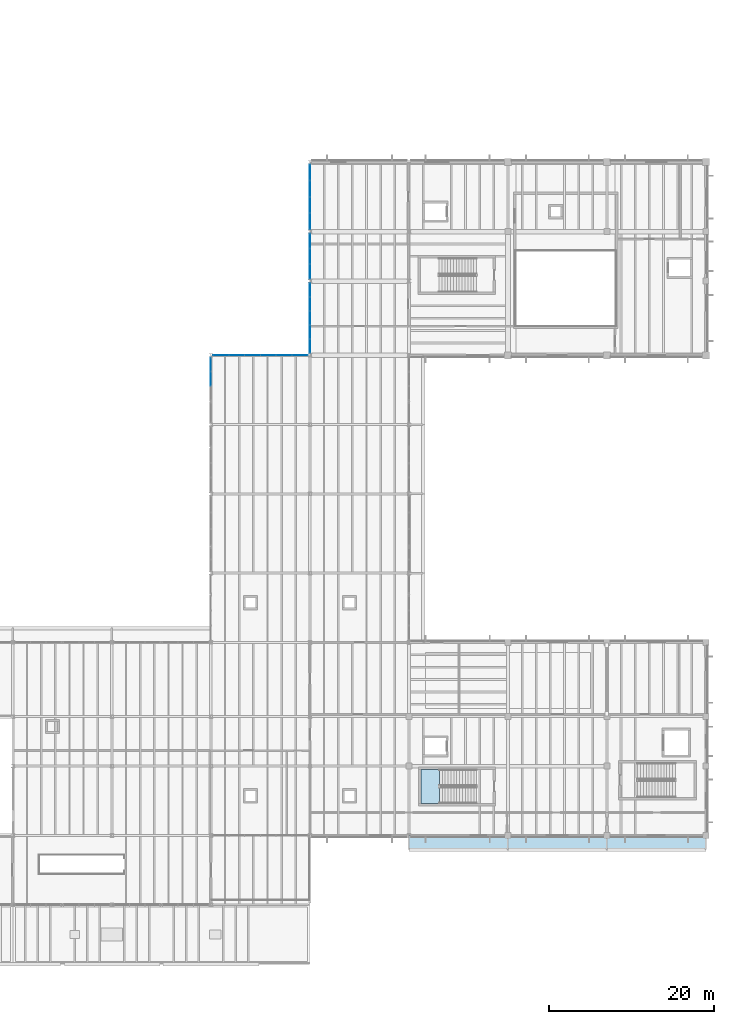
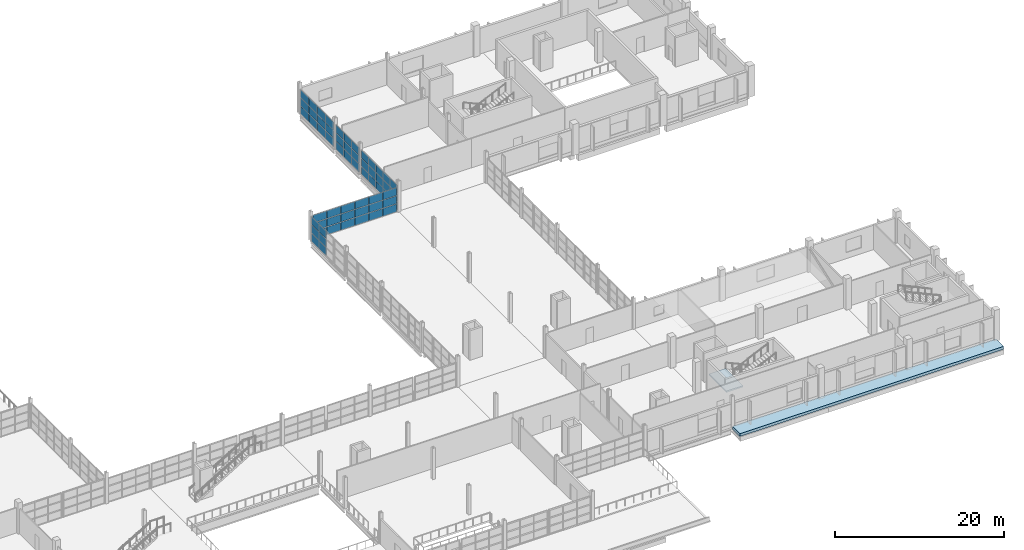
# One storey, part 83 of 114: 60 plates, 2 slabs, 6 elements without a shape of their own.
"""IFC4 building model written with IfcOpenShell, lengths in metres."""

import ifcopenshell
import ifcopenshell.guid

model = None  # the IFC model being written
_history = None  # IfcOwnerHistory: only IFC2X3 demands one
_inside = {}  # id of a spatial element -> (the spatial element, [elements in it])
_under = {}  # id of a project, library or spatial element -> (it, [spatial elements below it])
_declared = {}  # id of a project -> (the project, [libraries it declares])
_typed = {}  # id of a type object -> (the type object, [elements of that type])
_made_of = {}  # id of a material, layer set ... -> (it, [elements and type objects made of it])


def new_model(schema):
    """Start an empty IFC model of exactly this schema.

    Asked for "IFC4X3", IfcOpenShell would pick the latest addendum, in which some entities
    have other attributes; the version numbers below select the first issue.
    IFC2X3 requires an IfcOwnerHistory on every rooted entity: one is made here for all.
    """
    global model, _history
    if schema == "IFC4X3":
        model = ifcopenshell.file(schema_version=(4, 3, 0, 0))
    else:
        model = ifcopenshell.file(schema=schema)
    _inside.clear()
    _under.clear()
    _declared.clear()
    _typed.clear()
    _made_of.clear()
    _history = None
    if model.schema == "IFC2X3":
        org = make("IfcOrganization", Name="unknown")
        user = make(
            "IfcPersonAndOrganization",
            ThePerson=make("IfcPerson", FamilyName="unknown"),
            TheOrganization=org,
        )
        app = make(
            "IfcApplication",
            ApplicationDeveloper=org,
            Version="unknown",
            ApplicationFullName="unknown",
            ApplicationIdentifier="unknown",
        )
        _history = make(
            "IfcOwnerHistory",
            OwningUser=user,
            OwningApplication=app,
            ChangeAction="ADDED",
            CreationDate=0,
        )
    return model


def make(cls, **values):
    """One entity of the class cls with the attributes given. An attribute that is None is left unset."""
    return model.create_entity(
        cls, **{name: value for name, value in values.items() if value is not None}
    )


def rooted(cls, **values):
    """An entity with a GlobalId (a new one), such as an element, a storey or a relation."""
    return make(cls, GlobalId=ifcopenshell.guid.new(), OwnerHistory=_history, **values)


def si_unit(unit_type, name, prefix=None):
    """IfcSIUnit, for example si_unit("LENGTHUNIT", "METRE", prefix="MILLI")."""
    return make("IfcSIUnit", UnitType=unit_type, Prefix=prefix, Name=name)


def assignment(units):
    """IfcUnitAssignment: the units of a project."""
    return None if units is None else make("IfcUnitAssignment", Units=units)


def point(xyz):
    """IfcCartesianPoint."""
    return None if xyz is None else make("IfcCartesianPoint", Coordinates=xyz)


def direction(xyz):
    """IfcDirection."""
    return None if xyz is None else make("IfcDirection", DirectionRatios=xyz)


def frame(location, z_axis=None, x_axis=None):
    """IfcAxis2Placement3D, a coordinate frame: its origin and axes. An axis left out is left unset."""
    return make(
        "IfcAxis2Placement3D",
        Location=point(location),
        Axis=direction(z_axis),
        RefDirection=direction(x_axis),
    )


def frame_2d(location, x_axis=None):
    """IfcAxis2Placement2D, a coordinate frame in the plane: its origin and x axis."""
    return make(
        "IfcAxis2Placement2D", Location=point(location), RefDirection=direction(x_axis)
    )


def origin():
    """The frame at (0, 0, 0) with its axes left unset."""
    return frame((0.0, 0.0, 0.0))


def origin_2d():
    """The frame at (0, 0) in the plane with its x axis left unset."""
    return frame_2d((0.0, 0.0))


def place(relative_to, where):
    """IfcLocalPlacement: puts the frame where relative to a parent placement (None: the world)."""
    return make(
        "IfcLocalPlacement", PlacementRelTo=relative_to, RelativePlacement=where
    )


def context(
    kind, dimensions, precision=None, world=None, true_north=None, identifier=None
):
    """IfcGeometricRepresentationContext, for example the 3D "Model" context."""
    return make(
        "IfcGeometricRepresentationContext",
        ContextIdentifier=identifier,
        ContextType=kind,
        CoordinateSpaceDimension=dimensions,
        Precision=precision,
        WorldCoordinateSystem=world,
        TrueNorth=true_north,
    )


def subcontext(parent, identifier, kind, view, scale=None):
    """IfcGeometricRepresentationSubContext, for example "Body" below "Model"."""
    return make(
        "IfcGeometricRepresentationSubContext",
        ContextIdentifier=identifier,
        ContextType=kind,
        ParentContext=parent,
        TargetScale=scale,
        TargetView=view,
    )


def project(units=None, contexts=None):
    """IfcProject with its units and contexts."""
    return rooted(
        "IfcProject",
        Name="project",
        RepresentationContexts=contexts,
        UnitsInContext=assignment(units),
    )


def spatial(cls, under=None, at=None, **own):
    """A site, building, storey or space (cls), placed at a placement, below another one or the project."""
    s = rooted(cls, ObjectPlacement=at, **own)
    if under is not None:
        _under.setdefault(under.id(), (under, []))[1].append(s)
    return s


def polyline(points):
    """IfcPolyline through the points."""
    return make("IfcPolyline", Points=[point(p) for p in points])


def profile(cls, at=None, kind="AREA", **sizes):
    """A parametric profile (cls). Its sizes go by their IFC names, for example OverallWidth=200.0."""
    return make(cls, ProfileType=kind, Position=at, **sizes)


def rectangle(**sizes):
    """IfcRectangleProfileDef."""
    return profile("IfcRectangleProfileDef", **sizes)


def outline(outer, holes=None, kind="AREA"):
    """IfcArbitraryClosedProfileDef: a profile drawn as a closed curve; with holes, ...WithVoids."""
    if holes is None:
        return make("IfcArbitraryClosedProfileDef", ProfileType=kind, OuterCurve=outer)
    return make(
        "IfcArbitraryProfileDefWithVoids",
        ProfileType=kind,
        OuterCurve=outer,
        InnerCurves=holes,
    )


def extrude(swept, where, along, depth):
    """IfcExtrudedAreaSolid: the profile swept, set in the frame where, extruded along a direction by depth."""
    return make(
        "IfcExtrudedAreaSolid",
        SweptArea=swept,
        Position=where,
        ExtrudedDirection=direction(along),
        Depth=depth,
    )


def shape(context_of_items, identifier, shape_type, items):
    """IfcShapeRepresentation: the items that make up one representation, for example the "Body"."""
    return make(
        "IfcShapeRepresentation",
        ContextOfItems=context_of_items,
        RepresentationIdentifier=identifier,
        RepresentationType=shape_type,
        Items=items,
    )


def material(Name=None, Category=None):
    """IfcMaterial."""
    return make("IfcMaterial", Name=Name, Category=Category)


def layer(
    of_material, thickness, ventilated=None, Name=None, Category=None, Priority=None
):
    """IfcMaterialLayer: one layer of a wall or slab, of a material (None: an air gap)."""
    return make(
        "IfcMaterialLayer",
        Material=of_material,
        LayerThickness=thickness,
        IsVentilated=ventilated,
        Name=Name,
        Category=Category,
        Priority=Priority,
    )


def layer_set(layers, Name=None):
    """IfcMaterialLayerSet."""
    return make("IfcMaterialLayerSet", MaterialLayers=layers, LayerSetName=Name)


def made_of(thing, what):
    """Note that an element or type object is made of a material, layer set ...; save() writes the relation."""
    if what is not None:
        _made_of.setdefault(what.id(), (what, []))[1].append(thing)
    return thing


def type_object(cls, material=None, **own):
    """A type object (cls), such as IfcWallType, which elements share."""
    return made_of(rooted(cls, **own), material)


def element(
    cls,
    number,
    at=None,
    inside=None,
    cuts=None,
    type_object=None,
    material=None,
    context=None,
    identifier="Body",
    shape_type=None,
    held_by="IfcProductDefinitionShape",
    body=None,
    shapes=None,
    **own,
):
    """One element of the class cls, such as IfcWall. Its Tag is "e" and its number.

    at: its placement. inside: the storey or other place that contains it. cuts: it is an
    opening in that element (IfcRelVoidsElement). A single representation is given by context,
    identifier, shape_type and body (its items); several are given by shapes. held_by: the class
    of the entity that holds the representations. save() writes the other relations.
    """
    e = rooted(cls, Tag="e%d" % number, ObjectPlacement=at, **own)
    if body is not None:
        shapes = [shape(context, identifier, shape_type, body)]
    if shapes is not None:
        e.Representation = make(held_by, Representations=shapes)
    if inside is not None:
        _inside.setdefault(inside.id(), (inside, []))[1].append(e)
    if cuts is not None:
        rooted(
            "IfcRelVoidsElement", RelatingBuildingElement=cuts, RelatedOpeningElement=e
        )
    if type_object is not None:
        _typed.setdefault(type_object.id(), (type_object, []))[1].append(e)
    return made_of(e, material)


def aggregate(whole, parts):
    """IfcRelAggregates: a whole, such as a stair, and the parts it consists of."""
    return rooted("IfcRelAggregates", RelatingObject=whole, RelatedObjects=parts)


def save(model, path):
    """Write the relations noted so far, then the file.

    IfcRelAggregates (storeys below a building ...), IfcRelContainedInSpatialStructure (elements
    in a storey), IfcRelDefinesByType, IfcRelAssociatesMaterial and IfcRelDeclares: one each for
    every whole, place, type object, material and project.
    """
    for whole, parts in _under.values():
        aggregate(whole, parts)
    for where, things in _inside.values():
        rooted(
            "IfcRelContainedInSpatialStructure",
            RelatedElements=things,
            RelatingStructure=where,
        )
    for kind, things in _typed.values():
        rooted("IfcRelDefinesByType", RelatedObjects=things, RelatingType=kind)
    for what, things in _made_of.values():
        rooted("IfcRelAssociatesMaterial", RelatedObjects=things, RelatingMaterial=what)
    for by, libraries in _declared.values():
        rooted("IfcRelDeclares", RelatingContext=by, RelatedDefinitions=libraries)
    model.write(path)


model = new_model("IFC4")

# Units and contexts
model_context = context("Model", 3, precision=1e-05, world=origin(), true_north=direction((0.0, 1.0)))
body_context = subcontext(model_context, "Body", "Model", "MODEL_VIEW")
ifc_project = project(units=[si_unit("LENGTHUNIT", "METRE"), si_unit("AREAUNIT", "SQUARE_METRE"), si_unit("VOLUMEUNIT", "CUBIC_METRE"), si_unit("PLANEANGLEUNIT", "RADIAN"), si_unit("MASSUNIT", "GRAM", prefix="KILO")], contexts=[model_context])

# Site, building, storey
site_placement = place(None, origin())
site = spatial("IfcSite", under=ifc_project, at=site_placement, CompositionType="ELEMENT")
building_placement = place(site_placement, origin())
building = spatial("IfcBuilding", under=site, at=building_placement, Name="Kelmvaro Bay Concert Hall", CompositionType="ELEMENT")
storey_placement = place(building_placement, frame((0.0, 0.0, 4.800048828125)))
storey = spatial("IfcBuildingStorey", under=building, at=storey_placement, Name="L01", CompositionType="ELEMENT", Elevation=4.800048828125)

# Stair, slab
ifc_material_1 = material(Name="Concrete C40/50", Category="concrete")
stair_type = type_object("IfcStairType", Name="Core Dogleg Exit Stair 1980", PredefinedType="USERDEFINED", material=ifc_material_1)
stair_placement = place(storey_placement, origin())
stair = element("IfcStair", 1, at=stair_placement, inside=storey, type_object=stair_type, Name="L01 Exit Stair ST-05", ObjectType="TWO_RETURN_STAIR", PredefinedType="USERDEFINED")
ifc_material_2 = material(Name="Concrete C40/50", Category="concrete")
ifc_layer_1 = layer(ifc_material_2, 0.199951171875)
ifc_layer_set_1 = layer_set([ifc_layer_1], Name="Concrete C40/50")
slab_type_1 = type_object("IfcSlabType", Name="Core Stair Half-Landing Slab 200", PredefinedType="LANDING", material=ifc_layer_set_1)
slab_1_placement = place(storey_placement, frame((0.0, 0.0, 2.050048828125)))
slab_1 = element("IfcSlab", 2, at=slab_1_placement, type_object=slab_type_1, Name="ST-05 landing 1", PredefinedType="LANDING", context=body_context, shape_type="SweptSolid", body=[
    extrude(outline(polyline([(135.696044921875, 23.60009765625), (133.449951171875, 23.60009765625), (133.449951171875, 19.489990234375), (135.696044921875, 19.489990234375), (135.696044921875, 23.60009765625)])), origin(), (0.0, 0.0, 1.0), 0.199951171875),
])
aggregate(stair, [slab_1])

# Curtain wall, plates
ifc_material_3 = material(Name="Anodised Aluminium and Low-E Insulated Glazing", Category="aluminium")
curtain_wall_type_1 = type_object("IfcCurtainWallType", Name="Mezzanine Concourse Curtain Wall 4100", PredefinedType="USERDEFINED", material=ifc_material_3)
curtain_wall_1_placement = place(storey_placement, origin())
curtain_wall_1 = element("IfcCurtainWall", 3, at=curtain_wall_1_placement, inside=storey, type_object=curtain_wall_type_1, Name="Unitised Curtain Wall CW-L01-123", ObjectType="UNITISED GLAZING", PredefinedType="USERDEFINED")
ifc_material_4 = material(Name="Laminated Low-E Insulated Glass", Category="glass")
ifc_layer_2 = layer(ifc_material_4, 1.85009765625)
ifc_layer_set_2 = layer_set([ifc_layer_2], Name="Laminated Low-E Insulated Glass")
plate_type_1 = type_object("IfcPlateType", Name="Courtyard Clear Low-E Glazing Panel 22", PredefinedType="CURTAIN_PANEL", material=ifc_layer_set_2)
plate_1_placement = place(storey_placement, frame((108.0, 70.947265625, 0.03271484375), z_axis=(0.0, 0.0, 1.0), x_axis=(0.0, 1.0, 0.0)))
plate_1 = element("IfcPlate", 4, at=plate_1_placement, type_object=plate_type_1, Name="CW-L01-123 Insulated Glazing Panel 02-1", PredefinedType="CURTAIN_PANEL", context=body_context, shape_type="SweptSolid", body=[
    extrude(rectangle(XDim=1.673095703125, YDim=0.02197265625, at=origin_2d()), origin(), (0.0, 0.0, 1.0), 1.144287109375),
])
plate_2_placement = place(storey_placement, frame((108.0, 70.947265625, 1.24169921875), z_axis=(0.0, 0.0, 1.0), x_axis=(0.0, 1.0, 0.0)))
plate_2 = element("IfcPlate", 5, at=plate_2_placement, type_object=plate_type_1, Name="CW-L01-123 Insulated Glazing Panel 02-2", PredefinedType="CURTAIN_PANEL", context=body_context, shape_type="SweptSolid", body=[
    extrude(rectangle(XDim=1.673095703125, YDim=0.02197265625, at=origin_2d()), origin(), (0.0, 0.0, 1.0), 1.144287109375),
])
plate_3_placement = place(storey_placement, frame((108.0, 70.947265625, 2.451171875), z_axis=(0.0, 0.0, 1.0), x_axis=(0.0, 1.0, 0.0)))
plate_3 = element("IfcPlate", 6, at=plate_3_placement, type_object=plate_type_1, Name="CW-L01-123 Insulated Glazing Panel 02-3", PredefinedType="CURTAIN_PANEL", context=body_context, shape_type="SweptSolid", body=[
    extrude(rectangle(XDim=1.673095703125, YDim=0.02197265625, at=origin_2d()), origin(), (0.0, 0.0, 1.0), 1.144287109375),
])
plate_4_placement = place(storey_placement, frame((108.0, 72.685302734375, 0.03271484375), z_axis=(0.0, 0.0, 1.0), x_axis=(0.0, 1.0, 0.0)))
plate_4 = element("IfcPlate", 7, at=plate_4_placement, type_object=plate_type_1, Name="CW-L01-123 Insulated Glazing Panel 03-1", PredefinedType="CURTAIN_PANEL", context=body_context, shape_type="SweptSolid", body=[
    extrude(rectangle(XDim=1.673095703125, YDim=0.02197265625, at=origin_2d()), origin(), (0.0, 0.0, 1.0), 1.144287109375),
])
plate_5_placement = place(storey_placement, frame((108.0, 72.685302734375, 1.24169921875), z_axis=(0.0, 0.0, 1.0), x_axis=(0.0, 1.0, 0.0)))
plate_5 = element("IfcPlate", 8, at=plate_5_placement, type_object=plate_type_1, Name="CW-L01-123 Insulated Glazing Panel 03-2", PredefinedType="CURTAIN_PANEL", context=body_context, shape_type="SweptSolid", body=[
    extrude(rectangle(XDim=1.673095703125, YDim=0.02197265625, at=origin_2d()), origin(), (0.0, 0.0, 1.0), 1.144287109375),
])
plate_6_placement = place(storey_placement, frame((108.0, 72.685302734375, 2.451171875), z_axis=(0.0, 0.0, 1.0), x_axis=(0.0, 1.0, 0.0)))
plate_6 = element("IfcPlate", 9, at=plate_6_placement, type_object=plate_type_1, Name="CW-L01-123 Insulated Glazing Panel 03-3", PredefinedType="CURTAIN_PANEL", context=body_context, shape_type="SweptSolid", body=[
    extrude(rectangle(XDim=1.673095703125, YDim=0.02197265625, at=origin_2d()), origin(), (0.0, 0.0, 1.0), 1.144287109375),
])
aggregate(curtain_wall_1, [plate_1, plate_2, plate_3, plate_4, plate_5, plate_6])

ifc_material_5 = material(Name="Anodised Aluminium and Low-E Insulated Glazing", Category="aluminium")
curtain_wall_type_2 = type_object("IfcCurtainWallType", Name="Chamber Foyer Curtain Wall 3900", PredefinedType="USERDEFINED", material=ifc_material_5)
curtain_wall_2_placement = place(storey_placement, origin())
curtain_wall_2 = element("IfcCurtainWall", 10, at=curtain_wall_2_placement, inside=storey, type_object=curtain_wall_type_2, Name="Unitised Curtain Wall CW-L01-035", ObjectType="UNITISED GLAZING", PredefinedType="USERDEFINED")
ifc_material_6 = material(Name="Laminated Low-E Insulated Glass", Category="glass")
ifc_layer_3 = layer(ifc_material_6, 1.85009765625)
ifc_layer_set_3 = layer_set([ifc_layer_3], Name="Laminated Low-E Insulated Glass")
plate_type_2 = type_object("IfcPlateType", Name="Curtain Glazing Panel Low-E 32", PredefinedType="CURTAIN_PANEL", material=ifc_layer_set_3)
plate_7_placement = place(storey_placement, frame((120.0, 74.90380859375, 0.03271484375), z_axis=(0.0, 0.0, 1.0), x_axis=(0.0, 1.0, 0.0)))
plate_7 = element("IfcPlate", 11, at=plate_7_placement, type_object=plate_type_2, Name="CW-L01-035 Insulated Glazing Panel 01-1", PredefinedType="CURTAIN_PANEL", context=body_context, shape_type="SweptSolid", body=[
    extrude(rectangle(XDim=1.6337890625, YDim=0.031982421875, at=origin_2d()), origin(), (0.0, 0.0, 1.0), 1.137939453125),
])
plate_8_placement = place(storey_placement, frame((120.0, 74.90380859375, 1.2353515625), z_axis=(0.0, 0.0, 1.0), x_axis=(0.0, 1.0, 0.0)))
plate_8 = element("IfcPlate", 12, at=plate_8_placement, type_object=plate_type_2, Name="CW-L01-035 Insulated Glazing Panel 01-2", PredefinedType="CURTAIN_PANEL", context=body_context, shape_type="SweptSolid", body=[
    extrude(rectangle(XDim=1.6337890625, YDim=0.031982421875, at=origin_2d()), origin(), (0.0, 0.0, 1.0), 1.137939453125),
])
plate_9_placement = place(storey_placement, frame((120.0, 74.90380859375, 2.4384765625), z_axis=(0.0, 0.0, 1.0), x_axis=(0.0, 1.0, 0.0)))
plate_9 = element("IfcPlate", 13, at=plate_9_placement, type_object=plate_type_2, Name="CW-L01-035 Insulated Glazing Panel 01-3", PredefinedType="CURTAIN_PANEL", context=body_context, shape_type="SweptSolid", body=[
    extrude(rectangle(XDim=1.6337890625, YDim=0.031982421875, at=origin_2d()), origin(), (0.0, 0.0, 1.0), 1.137939453125),
])
plate_10_placement = place(storey_placement, frame((120.0, 76.6025390625, 0.03271484375), z_axis=(0.0, 0.0, 1.0), x_axis=(0.0, 1.0, 0.0)))
plate_10 = element("IfcPlate", 14, at=plate_10_placement, type_object=plate_type_2, Name="CW-L01-035 Insulated Glazing Panel 02-1", PredefinedType="CURTAIN_PANEL", context=body_context, shape_type="SweptSolid", body=[
    extrude(rectangle(XDim=1.6337890625, YDim=0.031982421875, at=origin_2d()), origin(), (0.0, 0.0, 1.0), 1.137939453125),
])
plate_11_placement = place(storey_placement, frame((120.0, 76.6025390625, 1.2353515625), z_axis=(0.0, 0.0, 1.0), x_axis=(0.0, 1.0, 0.0)))
plate_11 = element("IfcPlate", 15, at=plate_11_placement, type_object=plate_type_2, Name="CW-L01-035 Insulated Glazing Panel 02-2", PredefinedType="CURTAIN_PANEL", context=body_context, shape_type="SweptSolid", body=[
    extrude(rectangle(XDim=1.6337890625, YDim=0.031982421875, at=origin_2d()), origin(), (0.0, 0.0, 1.0), 1.137939453125),
])
plate_12_placement = place(storey_placement, frame((120.0, 76.6025390625, 2.4384765625), z_axis=(0.0, 0.0, 1.0), x_axis=(0.0, 1.0, 0.0)))
plate_12 = element("IfcPlate", 16, at=plate_12_placement, type_object=plate_type_2, Name="CW-L01-035 Insulated Glazing Panel 02-3", PredefinedType="CURTAIN_PANEL", context=body_context, shape_type="SweptSolid", body=[
    extrude(rectangle(XDim=1.6337890625, YDim=0.031982421875, at=origin_2d()), origin(), (0.0, 0.0, 1.0), 1.137939453125),
])
plate_13_placement = place(storey_placement, frame((120.0, 78.30126953125, 0.03271484375), z_axis=(0.0, 0.0, 1.0), x_axis=(0.0, 1.0, 0.0)))
plate_13 = element("IfcPlate", 17, at=plate_13_placement, type_object=plate_type_2, Name="CW-L01-035 Insulated Glazing Panel 03-1", PredefinedType="CURTAIN_PANEL", context=body_context, shape_type="SweptSolid", body=[
    extrude(rectangle(XDim=1.6337890625, YDim=0.031982421875, at=origin_2d()), origin(), (0.0, 0.0, 1.0), 1.137939453125),
])
plate_14_placement = place(storey_placement, frame((120.0, 78.30126953125, 1.2353515625), z_axis=(0.0, 0.0, 1.0), x_axis=(0.0, 1.0, 0.0)))
plate_14 = element("IfcPlate", 18, at=plate_14_placement, type_object=plate_type_2, Name="CW-L01-035 Insulated Glazing Panel 03-2", PredefinedType="CURTAIN_PANEL", context=body_context, shape_type="SweptSolid", body=[
    extrude(rectangle(XDim=1.6337890625, YDim=0.031982421875, at=origin_2d()), origin(), (0.0, 0.0, 1.0), 1.137939453125),
])
plate_15_placement = place(storey_placement, frame((120.0, 78.30126953125, 2.4384765625), z_axis=(0.0, 0.0, 1.0), x_axis=(0.0, 1.0, 0.0)))
plate_15 = element("IfcPlate", 19, at=plate_15_placement, type_object=plate_type_2, Name="CW-L01-035 Insulated Glazing Panel 03-3", PredefinedType="CURTAIN_PANEL", context=body_context, shape_type="SweptSolid", body=[
    extrude(rectangle(XDim=1.6337890625, YDim=0.031982421875, at=origin_2d()), origin(), (0.0, 0.0, 1.0), 1.137939453125),
])
plate_16_placement = place(storey_placement, frame((120.0, 80.0, 0.03271484375), z_axis=(0.0, 0.0, 1.0), x_axis=(0.0, 1.0, 0.0)))
plate_16 = element("IfcPlate", 20, at=plate_16_placement, type_object=plate_type_2, Name="CW-L01-035 Insulated Glazing Panel 04-1", PredefinedType="CURTAIN_PANEL", context=body_context, shape_type="SweptSolid", body=[
    extrude(rectangle(XDim=1.6337890625, YDim=0.031982421875, at=origin_2d()), origin(), (0.0, 0.0, 1.0), 1.137939453125),
])
plate_17_placement = place(storey_placement, frame((120.0, 80.0, 1.2353515625), z_axis=(0.0, 0.0, 1.0), x_axis=(0.0, 1.0, 0.0)))
plate_17 = element("IfcPlate", 21, at=plate_17_placement, type_object=plate_type_2, Name="CW-L01-035 Insulated Glazing Panel 04-2", PredefinedType="CURTAIN_PANEL", context=body_context, shape_type="SweptSolid", body=[
    extrude(rectangle(XDim=1.6337890625, YDim=0.031982421875, at=origin_2d()), origin(), (0.0, 0.0, 1.0), 1.137939453125),
])
plate_18_placement = place(storey_placement, frame((120.0, 80.0, 2.4384765625), z_axis=(0.0, 0.0, 1.0), x_axis=(0.0, 1.0, 0.0)))
plate_18 = element("IfcPlate", 22, at=plate_18_placement, type_object=plate_type_2, Name="CW-L01-035 Insulated Glazing Panel 04-3", PredefinedType="CURTAIN_PANEL", context=body_context, shape_type="SweptSolid", body=[
    extrude(rectangle(XDim=1.6337890625, YDim=0.031982421875, at=origin_2d()), origin(), (0.0, 0.0, 1.0), 1.137939453125),
])
plate_19_placement = place(storey_placement, frame((120.0, 81.69873046875, 0.03271484375), z_axis=(0.0, 0.0, 1.0), x_axis=(0.0, 1.0, 0.0)))
plate_19 = element("IfcPlate", 23, at=plate_19_placement, type_object=plate_type_2, Name="CW-L01-035 Insulated Glazing Panel 05-1", PredefinedType="CURTAIN_PANEL", context=body_context, shape_type="SweptSolid", body=[
    extrude(rectangle(XDim=1.6337890625, YDim=0.031982421875, at=origin_2d()), origin(), (0.0, 0.0, 1.0), 1.137939453125),
])
plate_20_placement = place(storey_placement, frame((120.0, 81.69873046875, 1.2353515625), z_axis=(0.0, 0.0, 1.0), x_axis=(0.0, 1.0, 0.0)))
plate_20 = element("IfcPlate", 24, at=plate_20_placement, type_object=plate_type_2, Name="CW-L01-035 Insulated Glazing Panel 05-2", PredefinedType="CURTAIN_PANEL", context=body_context, shape_type="SweptSolid", body=[
    extrude(rectangle(XDim=1.6337890625, YDim=0.031982421875, at=origin_2d()), origin(), (0.0, 0.0, 1.0), 1.137939453125),
])
plate_21_placement = place(storey_placement, frame((120.0, 81.69873046875, 2.4384765625), z_axis=(0.0, 0.0, 1.0), x_axis=(0.0, 1.0, 0.0)))
plate_21 = element("IfcPlate", 25, at=plate_21_placement, type_object=plate_type_2, Name="CW-L01-035 Insulated Glazing Panel 05-3", PredefinedType="CURTAIN_PANEL", context=body_context, shape_type="SweptSolid", body=[
    extrude(rectangle(XDim=1.6337890625, YDim=0.031982421875, at=origin_2d()), origin(), (0.0, 0.0, 1.0), 1.137939453125),
])
aggregate(curtain_wall_2, [plate_7, plate_8, plate_9, plate_10, plate_11, plate_12, plate_13, plate_14, plate_15, plate_16, plate_17, plate_18, plate_19, plate_20, plate_21])

curtain_wall_3_placement = place(storey_placement, origin())
curtain_wall_3 = element("IfcCurtainWall", 26, at=curtain_wall_3_placement, inside=storey, type_object=curtain_wall_type_2, Name="Unitised Curtain Wall CW-L01-036", ObjectType="UNITISED GLAZING", PredefinedType="USERDEFINED")
plate_22_placement = place(storey_placement, frame((120.0, 83.968017578125, 0.032470703125), z_axis=(0.0, 0.0, 1.0), x_axis=(0.0, 1.0, 0.0)))
plate_22 = element("IfcPlate", 27, at=plate_22_placement, type_object=plate_type_2, Name="CW-L01-036 Insulated Glazing Panel 01-1", PredefinedType="CURTAIN_PANEL", context=body_context, shape_type="SweptSolid", body=[
    extrude(rectangle(XDim=1.76708984375, YDim=0.031982421875, at=origin_2d()), origin(), (0.0, 0.0, 1.0), 1.1376953125),
])
plate_23_placement = place(storey_placement, frame((120.0, 83.968017578125, 1.235107421875), z_axis=(0.0, 0.0, 1.0), x_axis=(0.0, 1.0, 0.0)))
plate_23 = element("IfcPlate", 28, at=plate_23_placement, type_object=plate_type_2, Name="CW-L01-036 Insulated Glazing Panel 01-2", PredefinedType="CURTAIN_PANEL", context=body_context, shape_type="SweptSolid", body=[
    extrude(rectangle(XDim=1.76708984375, YDim=0.031982421875, at=origin_2d()), origin(), (0.0, 0.0, 1.0), 1.1376953125),
])
plate_24_placement = place(storey_placement, frame((120.0, 83.968017578125, 2.437744140625), z_axis=(0.0, 0.0, 1.0), x_axis=(0.0, 1.0, 0.0)))
plate_24 = element("IfcPlate", 29, at=plate_24_placement, type_object=plate_type_2, Name="CW-L01-036 Insulated Glazing Panel 01-3", PredefinedType="CURTAIN_PANEL", context=body_context, shape_type="SweptSolid", body=[
    extrude(rectangle(XDim=1.76708984375, YDim=0.031982421875, at=origin_2d()), origin(), (0.0, 0.0, 1.0), 1.1376953125),
])
plate_25_placement = place(storey_placement, frame((120.0, 85.800048828125, 0.032470703125), z_axis=(0.0, 0.0, 1.0), x_axis=(0.0, 1.0, 0.0)))
plate_25 = element("IfcPlate", 30, at=plate_25_placement, type_object=plate_type_2, Name="CW-L01-036 Insulated Glazing Panel 02-1", PredefinedType="CURTAIN_PANEL", context=body_context, shape_type="SweptSolid", body=[
    extrude(rectangle(XDim=1.76708984375, YDim=0.031982421875, at=origin_2d()), origin(), (0.0, 0.0, 1.0), 1.1376953125),
])
plate_26_placement = place(storey_placement, frame((120.0, 85.800048828125, 1.235107421875), z_axis=(0.0, 0.0, 1.0), x_axis=(0.0, 1.0, 0.0)))
plate_26 = element("IfcPlate", 31, at=plate_26_placement, type_object=plate_type_2, Name="CW-L01-036 Insulated Glazing Panel 02-2", PredefinedType="CURTAIN_PANEL", context=body_context, shape_type="SweptSolid", body=[
    extrude(rectangle(XDim=1.76708984375, YDim=0.031982421875, at=origin_2d()), origin(), (0.0, 0.0, 1.0), 1.1376953125),
])
plate_27_placement = place(storey_placement, frame((120.0, 85.800048828125, 2.437744140625), z_axis=(0.0, 0.0, 1.0), x_axis=(0.0, 1.0, 0.0)))
plate_27 = element("IfcPlate", 32, at=plate_27_placement, type_object=plate_type_2, Name="CW-L01-036 Insulated Glazing Panel 02-3", PredefinedType="CURTAIN_PANEL", context=body_context, shape_type="SweptSolid", body=[
    extrude(rectangle(XDim=1.76708984375, YDim=0.031982421875, at=origin_2d()), origin(), (0.0, 0.0, 1.0), 1.1376953125),
])
plate_28_placement = place(storey_placement, frame((120.0, 87.632080078125, 0.032470703125), z_axis=(0.0, 0.0, 1.0), x_axis=(0.0, 1.0, 0.0)))
plate_28 = element("IfcPlate", 33, at=plate_28_placement, type_object=plate_type_2, Name="CW-L01-036 Insulated Glazing Panel 03-1", PredefinedType="CURTAIN_PANEL", context=body_context, shape_type="SweptSolid", body=[
    extrude(rectangle(XDim=1.76708984375, YDim=0.031982421875, at=origin_2d()), origin(), (0.0, 0.0, 1.0), 1.1376953125),
])
plate_29_placement = place(storey_placement, frame((120.0, 87.632080078125, 1.235107421875), z_axis=(0.0, 0.0, 1.0), x_axis=(0.0, 1.0, 0.0)))
plate_29 = element("IfcPlate", 34, at=plate_29_placement, type_object=plate_type_2, Name="CW-L01-036 Insulated Glazing Panel 03-2", PredefinedType="CURTAIN_PANEL", context=body_context, shape_type="SweptSolid", body=[
    extrude(rectangle(XDim=1.76708984375, YDim=0.031982421875, at=origin_2d()), origin(), (0.0, 0.0, 1.0), 1.1376953125),
])
plate_30_placement = place(storey_placement, frame((120.0, 87.632080078125, 2.437744140625), z_axis=(0.0, 0.0, 1.0), x_axis=(0.0, 1.0, 0.0)))
plate_30 = element("IfcPlate", 35, at=plate_30_placement, type_object=plate_type_2, Name="CW-L01-036 Insulated Glazing Panel 03-3", PredefinedType="CURTAIN_PANEL", context=body_context, shape_type="SweptSolid", body=[
    extrude(rectangle(XDim=1.76708984375, YDim=0.031982421875, at=origin_2d()), origin(), (0.0, 0.0, 1.0), 1.1376953125),
])
aggregate(curtain_wall_3, [plate_22, plate_23, plate_24, plate_25, plate_26, plate_27, plate_28, plate_29, plate_30])

curtain_wall_4_placement = place(storey_placement, origin())
curtain_wall_4 = element("IfcCurtainWall", 36, at=curtain_wall_4_placement, inside=storey, type_object=curtain_wall_type_2, Name="Unitised Curtain Wall CW-L01-037", ObjectType="UNITISED GLAZING", PredefinedType="USERDEFINED")
plate_31_placement = place(storey_placement, frame((120.0, 90.038818359375, 0.032470703125), z_axis=(0.0, 0.0, 1.0), x_axis=(0.0, 1.0, 0.0)))
plate_31 = element("IfcPlate", 37, at=plate_31_placement, type_object=plate_type_2, Name="CW-L01-037 Insulated Glazing Panel 01-1", PredefinedType="CURTAIN_PANEL", context=body_context, shape_type="SweptSolid", body=[
    extrude(rectangle(XDim=1.908447265625, YDim=0.031982421875, at=origin_2d()), origin(), (0.0, 0.0, 1.0), 1.1376953125),
])
plate_32_placement = place(storey_placement, frame((120.0, 90.038818359375, 1.235107421875), z_axis=(0.0, 0.0, 1.0), x_axis=(0.0, 1.0, 0.0)))
plate_32 = element("IfcPlate", 38, at=plate_32_placement, type_object=plate_type_2, Name="CW-L01-037 Insulated Glazing Panel 01-2", PredefinedType="CURTAIN_PANEL", context=body_context, shape_type="SweptSolid", body=[
    extrude(rectangle(XDim=1.908447265625, YDim=0.031982421875, at=origin_2d()), origin(), (0.0, 0.0, 1.0), 1.1376953125),
])
plate_33_placement = place(storey_placement, frame((120.0, 90.038818359375, 2.437744140625), z_axis=(0.0, 0.0, 1.0), x_axis=(0.0, 1.0, 0.0)))
plate_33 = element("IfcPlate", 39, at=plate_33_placement, type_object=plate_type_2, Name="CW-L01-037 Insulated Glazing Panel 01-3", PredefinedType="CURTAIN_PANEL", context=body_context, shape_type="SweptSolid", body=[
    extrude(rectangle(XDim=1.908447265625, YDim=0.031982421875, at=origin_2d()), origin(), (0.0, 0.0, 1.0), 1.1376953125),
])
plate_34_placement = place(storey_placement, frame((120.0, 92.01220703125, 0.032470703125), z_axis=(0.0, 0.0, 1.0), x_axis=(0.0, 1.0, 0.0)))
plate_34 = element("IfcPlate", 40, at=plate_34_placement, type_object=plate_type_2, Name="CW-L01-037 Insulated Glazing Panel 02-1", PredefinedType="CURTAIN_PANEL", context=body_context, shape_type="SweptSolid", body=[
    extrude(rectangle(XDim=1.908447265625, YDim=0.031982421875, at=origin_2d()), origin(), (0.0, 0.0, 1.0), 1.1376953125),
])
plate_35_placement = place(storey_placement, frame((120.0, 92.01220703125, 1.235107421875), z_axis=(0.0, 0.0, 1.0), x_axis=(0.0, 1.0, 0.0)))
plate_35 = element("IfcPlate", 41, at=plate_35_placement, type_object=plate_type_2, Name="CW-L01-037 Insulated Glazing Panel 02-2", PredefinedType="CURTAIN_PANEL", context=body_context, shape_type="SweptSolid", body=[
    extrude(rectangle(XDim=1.908447265625, YDim=0.031982421875, at=origin_2d()), origin(), (0.0, 0.0, 1.0), 1.1376953125),
])
plate_36_placement = place(storey_placement, frame((120.0, 92.01220703125, 2.437744140625), z_axis=(0.0, 0.0, 1.0), x_axis=(0.0, 1.0, 0.0)))
plate_36 = element("IfcPlate", 42, at=plate_36_placement, type_object=plate_type_2, Name="CW-L01-037 Insulated Glazing Panel 02-3", PredefinedType="CURTAIN_PANEL", context=body_context, shape_type="SweptSolid", body=[
    extrude(rectangle(XDim=1.908447265625, YDim=0.031982421875, at=origin_2d()), origin(), (0.0, 0.0, 1.0), 1.1376953125),
])
plate_37_placement = place(storey_placement, frame((120.0, 93.9853515625, 0.032470703125), z_axis=(0.0, 0.0, 1.0), x_axis=(0.0, 1.0, 0.0)))
plate_37 = element("IfcPlate", 43, at=plate_37_placement, type_object=plate_type_2, Name="CW-L01-037 Insulated Glazing Panel 03-1", PredefinedType="CURTAIN_PANEL", context=body_context, shape_type="SweptSolid", body=[
    extrude(rectangle(XDim=1.908447265625, YDim=0.031982421875, at=origin_2d()), origin(), (0.0, 0.0, 1.0), 1.1376953125),
])
plate_38_placement = place(storey_placement, frame((120.0, 93.9853515625, 1.235107421875), z_axis=(0.0, 0.0, 1.0), x_axis=(0.0, 1.0, 0.0)))
plate_38 = element("IfcPlate", 44, at=plate_38_placement, type_object=plate_type_2, Name="CW-L01-037 Insulated Glazing Panel 03-2", PredefinedType="CURTAIN_PANEL", context=body_context, shape_type="SweptSolid", body=[
    extrude(rectangle(XDim=1.908447265625, YDim=0.031982421875, at=origin_2d()), origin(), (0.0, 0.0, 1.0), 1.1376953125),
])
plate_39_placement = place(storey_placement, frame((120.0, 93.9853515625, 2.437744140625), z_axis=(0.0, 0.0, 1.0), x_axis=(0.0, 1.0, 0.0)))
plate_39 = element("IfcPlate", 45, at=plate_39_placement, type_object=plate_type_2, Name="CW-L01-037 Insulated Glazing Panel 03-3", PredefinedType="CURTAIN_PANEL", context=body_context, shape_type="SweptSolid", body=[
    extrude(rectangle(XDim=1.908447265625, YDim=0.031982421875, at=origin_2d()), origin(), (0.0, 0.0, 1.0), 1.1376953125),
])
plate_40_placement = place(storey_placement, frame((120.0, 95.958740234375, 0.032470703125), z_axis=(0.0, 0.0, 1.0), x_axis=(0.0, 1.0, 0.0)))
plate_40 = element("IfcPlate", 46, at=plate_40_placement, type_object=plate_type_2, Name="CW-L01-037 Insulated Glazing Panel 04-1", PredefinedType="CURTAIN_PANEL", context=body_context, shape_type="SweptSolid", body=[
    extrude(rectangle(XDim=1.908447265625, YDim=0.031982421875, at=origin_2d()), origin(), (0.0, 0.0, 1.0), 1.1376953125),
])
plate_41_placement = place(storey_placement, frame((120.0, 95.958740234375, 1.235107421875), z_axis=(0.0, 0.0, 1.0), x_axis=(0.0, 1.0, 0.0)))
plate_41 = element("IfcPlate", 47, at=plate_41_placement, type_object=plate_type_2, Name="CW-L01-037 Insulated Glazing Panel 04-2", PredefinedType="CURTAIN_PANEL", context=body_context, shape_type="SweptSolid", body=[
    extrude(rectangle(XDim=1.908447265625, YDim=0.031982421875, at=origin_2d()), origin(), (0.0, 0.0, 1.0), 1.1376953125),
])
plate_42_placement = place(storey_placement, frame((120.0, 95.958740234375, 2.437744140625), z_axis=(0.0, 0.0, 1.0), x_axis=(0.0, 1.0, 0.0)))
plate_42 = element("IfcPlate", 48, at=plate_42_placement, type_object=plate_type_2, Name="CW-L01-037 Insulated Glazing Panel 04-3", PredefinedType="CURTAIN_PANEL", context=body_context, shape_type="SweptSolid", body=[
    extrude(rectangle(XDim=1.908447265625, YDim=0.031982421875, at=origin_2d()), origin(), (0.0, 0.0, 1.0), 1.1376953125),
])
aggregate(curtain_wall_4, [plate_31, plate_32, plate_33, plate_34, plate_35, plate_36, plate_37, plate_38, plate_39, plate_40, plate_41, plate_42])

curtain_wall_5_placement = place(storey_placement, origin())
curtain_wall_5 = element("IfcCurtainWall", 49, at=curtain_wall_5_placement, inside=storey, type_object=curtain_wall_type_1, Name="Unitised Curtain Wall CW-L01-125", ObjectType="UNITISED GLAZING", PredefinedType="USERDEFINED")
plate_43_placement = place(storey_placement, frame((109.210693359375, 73.800048828125, 0.032470703125), z_axis=(0.0, 0.0, 1.0), x_axis=(1.0, 0.0, 0.0)))
plate_43 = element("IfcPlate", 50, at=plate_43_placement, type_object=plate_type_2, Name="CW-L01-125 Insulated Glazing Panel 01-1", PredefinedType="CURTAIN_PANEL", context=body_context, shape_type="SweptSolid", body=[
    extrude(rectangle(XDim=1.850341796875, YDim=0.031982421875, at=origin_2d()), origin(), (0.0, 0.0, 1.0), 1.1171875),
])
plate_44_placement = place(storey_placement, frame((109.210693359375, 73.800048828125, 1.21484375), z_axis=(0.0, 0.0, 1.0), x_axis=(1.0, 0.0, 0.0)))
plate_44 = element("IfcPlate", 51, at=plate_44_placement, type_object=plate_type_2, Name="CW-L01-125 Insulated Glazing Panel 01-2", PredefinedType="CURTAIN_PANEL", context=body_context, shape_type="SweptSolid", body=[
    extrude(rectangle(XDim=1.850341796875, YDim=0.031982421875, at=origin_2d()), origin(), (0.0, 0.0, 1.0), 1.117431640625),
])
plate_45_placement = place(storey_placement, frame((109.210693359375, 73.800048828125, 2.397216796875), z_axis=(0.0, 0.0, 1.0), x_axis=(1.0, 0.0, 0.0)))
plate_45 = element("IfcPlate", 52, at=plate_45_placement, type_object=plate_type_2, Name="CW-L01-125 Insulated Glazing Panel 01-3", PredefinedType="CURTAIN_PANEL", context=body_context, shape_type="SweptSolid", body=[
    extrude(rectangle(XDim=1.850341796875, YDim=0.031982421875, at=origin_2d()), origin(), (0.0, 0.0, 1.0), 1.1171875),
])
plate_46_placement = place(storey_placement, frame((111.1259765625, 73.800048828125, 0.032470703125), z_axis=(0.0, 0.0, 1.0), x_axis=(1.0, 0.0, 0.0)))
plate_46 = element("IfcPlate", 53, at=plate_46_placement, type_object=plate_type_2, Name="CW-L01-125 Insulated Glazing Panel 02-1", PredefinedType="CURTAIN_PANEL", context=body_context, shape_type="SweptSolid", body=[
    extrude(rectangle(XDim=1.850341796875, YDim=0.031982421875, at=origin_2d()), origin(), (0.0, 0.0, 1.0), 1.1171875),
])
plate_47_placement = place(storey_placement, frame((111.1259765625, 73.800048828125, 1.21484375), z_axis=(0.0, 0.0, 1.0), x_axis=(1.0, 0.0, 0.0)))
plate_47 = element("IfcPlate", 54, at=plate_47_placement, type_object=plate_type_2, Name="CW-L01-125 Insulated Glazing Panel 02-2", PredefinedType="CURTAIN_PANEL", context=body_context, shape_type="SweptSolid", body=[
    extrude(rectangle(XDim=1.850341796875, YDim=0.031982421875, at=origin_2d()), origin(), (0.0, 0.0, 1.0), 1.117431640625),
])
plate_48_placement = place(storey_placement, frame((111.1259765625, 73.800048828125, 2.397216796875), z_axis=(0.0, 0.0, 1.0), x_axis=(1.0, 0.0, 0.0)))
plate_48 = element("IfcPlate", 55, at=plate_48_placement, type_object=plate_type_2, Name="CW-L01-125 Insulated Glazing Panel 02-3", PredefinedType="CURTAIN_PANEL", context=body_context, shape_type="SweptSolid", body=[
    extrude(rectangle(XDim=1.850341796875, YDim=0.031982421875, at=origin_2d()), origin(), (0.0, 0.0, 1.0), 1.1171875),
])
plate_49_placement = place(storey_placement, frame((113.041015625, 73.800048828125, 0.032470703125), z_axis=(0.0, 0.0, 1.0), x_axis=(1.0, 0.0, 0.0)))
plate_49 = element("IfcPlate", 56, at=plate_49_placement, type_object=plate_type_2, Name="CW-L01-125 Insulated Glazing Panel 03-1", PredefinedType="CURTAIN_PANEL", context=body_context, shape_type="SweptSolid", body=[
    extrude(rectangle(XDim=1.850341796875, YDim=0.031982421875, at=origin_2d()), origin(), (0.0, 0.0, 1.0), 1.1171875),
])
plate_50_placement = place(storey_placement, frame((113.041015625, 73.800048828125, 1.21484375), z_axis=(0.0, 0.0, 1.0), x_axis=(1.0, 0.0, 0.0)))
plate_50 = element("IfcPlate", 57, at=plate_50_placement, type_object=plate_type_2, Name="CW-L01-125 Insulated Glazing Panel 03-2", PredefinedType="CURTAIN_PANEL", context=body_context, shape_type="SweptSolid", body=[
    extrude(rectangle(XDim=1.850341796875, YDim=0.031982421875, at=origin_2d()), origin(), (0.0, 0.0, 1.0), 1.117431640625),
])
plate_51_placement = place(storey_placement, frame((113.041015625, 73.800048828125, 2.397216796875), z_axis=(0.0, 0.0, 1.0), x_axis=(1.0, 0.0, 0.0)))
plate_51 = element("IfcPlate", 58, at=plate_51_placement, type_object=plate_type_2, Name="CW-L01-125 Insulated Glazing Panel 03-3", PredefinedType="CURTAIN_PANEL", context=body_context, shape_type="SweptSolid", body=[
    extrude(rectangle(XDim=1.850341796875, YDim=0.031982421875, at=origin_2d()), origin(), (0.0, 0.0, 1.0), 1.1171875),
])
plate_52_placement = place(storey_placement, frame((114.956298828125, 73.800048828125, 0.032470703125), z_axis=(0.0, 0.0, 1.0), x_axis=(1.0, 0.0, 0.0)))
plate_52 = element("IfcPlate", 59, at=plate_52_placement, type_object=plate_type_2, Name="CW-L01-125 Insulated Glazing Panel 04-1", PredefinedType="CURTAIN_PANEL", context=body_context, shape_type="SweptSolid", body=[
    extrude(rectangle(XDim=1.850341796875, YDim=0.031982421875, at=origin_2d()), origin(), (0.0, 0.0, 1.0), 1.1171875),
])
plate_53_placement = place(storey_placement, frame((114.956298828125, 73.800048828125, 1.21484375), z_axis=(0.0, 0.0, 1.0), x_axis=(1.0, 0.0, 0.0)))
plate_53 = element("IfcPlate", 60, at=plate_53_placement, type_object=plate_type_2, Name="CW-L01-125 Insulated Glazing Panel 04-2", PredefinedType="CURTAIN_PANEL", context=body_context, shape_type="SweptSolid", body=[
    extrude(rectangle(XDim=1.850341796875, YDim=0.031982421875, at=origin_2d()), origin(), (0.0, 0.0, 1.0), 1.117431640625),
])
plate_54_placement = place(storey_placement, frame((114.956298828125, 73.800048828125, 2.397216796875), z_axis=(0.0, 0.0, 1.0), x_axis=(1.0, 0.0, 0.0)))
plate_54 = element("IfcPlate", 61, at=plate_54_placement, type_object=plate_type_2, Name="CW-L01-125 Insulated Glazing Panel 04-3", PredefinedType="CURTAIN_PANEL", context=body_context, shape_type="SweptSolid", body=[
    extrude(rectangle(XDim=1.850341796875, YDim=0.031982421875, at=origin_2d()), origin(), (0.0, 0.0, 1.0), 1.1171875),
])
plate_55_placement = place(storey_placement, frame((116.87158203125, 73.800048828125, 0.032470703125), z_axis=(0.0, 0.0, 1.0), x_axis=(1.0, 0.0, 0.0)))
plate_55 = element("IfcPlate", 62, at=plate_55_placement, type_object=plate_type_2, Name="CW-L01-125 Insulated Glazing Panel 05-1", PredefinedType="CURTAIN_PANEL", context=body_context, shape_type="SweptSolid", body=[
    extrude(rectangle(XDim=1.850341796875, YDim=0.031982421875, at=origin_2d()), origin(), (0.0, 0.0, 1.0), 1.1171875),
])
plate_56_placement = place(storey_placement, frame((116.87158203125, 73.800048828125, 1.21484375), z_axis=(0.0, 0.0, 1.0), x_axis=(1.0, 0.0, 0.0)))
plate_56 = element("IfcPlate", 63, at=plate_56_placement, type_object=plate_type_2, Name="CW-L01-125 Insulated Glazing Panel 05-2", PredefinedType="CURTAIN_PANEL", context=body_context, shape_type="SweptSolid", body=[
    extrude(rectangle(XDim=1.850341796875, YDim=0.031982421875, at=origin_2d()), origin(), (0.0, 0.0, 1.0), 1.117431640625),
])
plate_57_placement = place(storey_placement, frame((116.87158203125, 73.800048828125, 2.397216796875), z_axis=(0.0, 0.0, 1.0), x_axis=(1.0, 0.0, 0.0)))
plate_57 = element("IfcPlate", 64, at=plate_57_placement, type_object=plate_type_2, Name="CW-L01-125 Insulated Glazing Panel 05-3", PredefinedType="CURTAIN_PANEL", context=body_context, shape_type="SweptSolid", body=[
    extrude(rectangle(XDim=1.850341796875, YDim=0.031982421875, at=origin_2d()), origin(), (0.0, 0.0, 1.0), 1.1171875),
])
plate_58_placement = place(storey_placement, frame((118.786865234375, 73.800048828125, 0.032470703125), z_axis=(0.0, 0.0, 1.0), x_axis=(1.0, 0.0, 0.0)))
plate_58 = element("IfcPlate", 65, at=plate_58_placement, type_object=plate_type_2, Name="CW-L01-125 Insulated Glazing Panel 06-1", PredefinedType="CURTAIN_PANEL", context=body_context, shape_type="SweptSolid", body=[
    extrude(rectangle(XDim=1.850341796875, YDim=0.031982421875, at=origin_2d()), origin(), (0.0, 0.0, 1.0), 1.1171875),
])
plate_59_placement = place(storey_placement, frame((118.786865234375, 73.800048828125, 1.21484375), z_axis=(0.0, 0.0, 1.0), x_axis=(1.0, 0.0, 0.0)))
plate_59 = element("IfcPlate", 66, at=plate_59_placement, type_object=plate_type_2, Name="CW-L01-125 Insulated Glazing Panel 06-2", PredefinedType="CURTAIN_PANEL", context=body_context, shape_type="SweptSolid", body=[
    extrude(rectangle(XDim=1.850341796875, YDim=0.031982421875, at=origin_2d()), origin(), (0.0, 0.0, 1.0), 1.117431640625),
])
plate_60_placement = place(storey_placement, frame((118.786865234375, 73.800048828125, 2.397216796875), z_axis=(0.0, 0.0, 1.0), x_axis=(1.0, 0.0, 0.0)))
plate_60 = element("IfcPlate", 67, at=plate_60_placement, type_object=plate_type_2, Name="CW-L01-125 Insulated Glazing Panel 06-3", PredefinedType="CURTAIN_PANEL", context=body_context, shape_type="SweptSolid", body=[
    extrude(rectangle(XDim=1.850341796875, YDim=0.031982421875, at=origin_2d()), origin(), (0.0, 0.0, 1.0), 1.1171875),
])
aggregate(curtain_wall_5, [plate_43, plate_44, plate_45, plate_46, plate_47, plate_48, plate_49, plate_50, plate_51, plate_52, plate_53, plate_54, plate_55, plate_56, plate_57, plate_58, plate_59, plate_60])

# Slab
ifc_material_7 = material(Name="Concrete C40/50", Category="concrete")
ifc_layer_4 = layer(ifc_material_7, 0.39990234375)
ifc_layer_set_4 = layer_set([ifc_layer_4], Name="Concrete C40/50")
slab_type_2 = type_object("IfcSlabType", Name="Storm Eave Structural Canopy Slab 400", PredefinedType="ROOF", material=ifc_layer_set_4)
slab_2_placement = place(storey_placement, frame((0.0, 0.0, -0.340087890625)))
element("IfcSlab", 68, at=slab_2_placement, inside=storey, type_object=slab_type_2, Name="L01 Roof Slab EAV-V4S", PredefinedType="ROOF", context=body_context, shape_type="SweptSolid", body=[
    extrude(outline(polyline([(132.0, 13.800048828125), (168.0, 13.800048828125), (168.0, 15.60009765625), (132.0, 15.60009765625), (132.0, 13.800048828125)])), origin(), (0.0, 0.0, 1.0), 0.400146484375),
])

save(model, "model.ifc")
